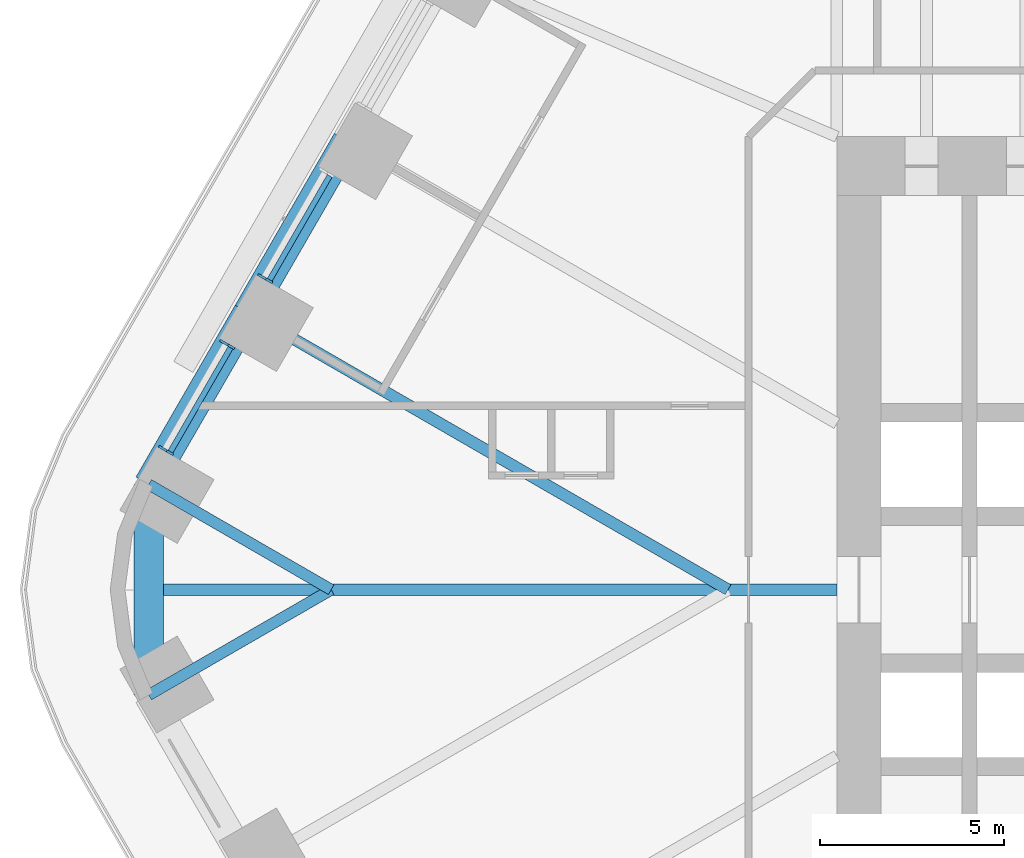
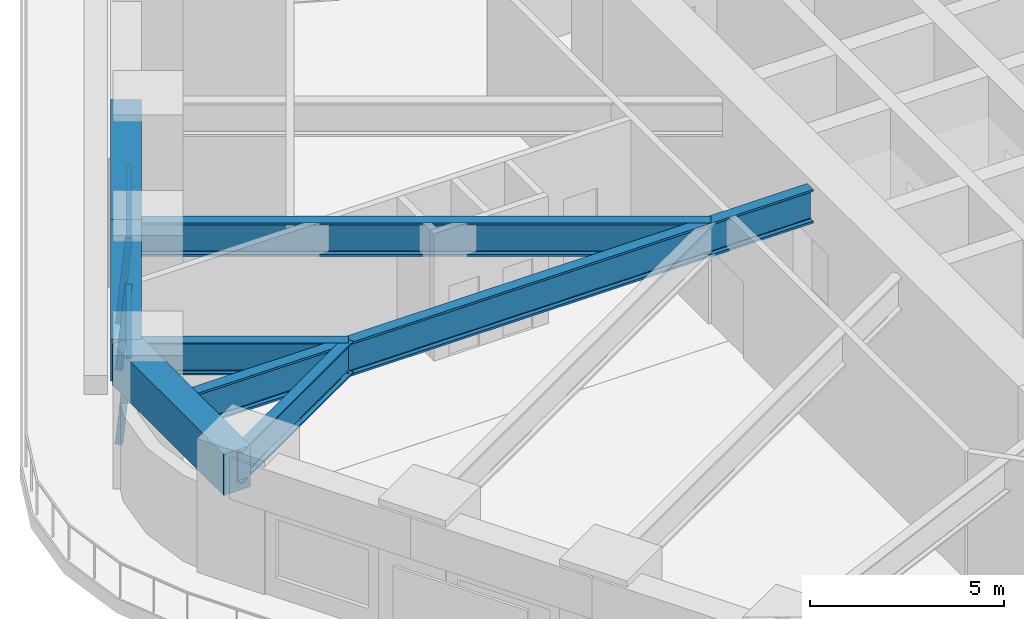
# One storey, part 6 of 23: 7 beams, 5 members, 2 elements without a shape of their own.
"""IFC4 building model written with IfcOpenShell, lengths in metres."""

from ifc_helpers import new_model, si_unit, direction, frame, origin, origin_2d, place, context, subcontext, project, spatial, rectangle, i_section, extrude, material, material_profile, profile_set, type_object, element, aggregate, save


model = new_model("IFC4")

# Units and contexts
model_context = context("Model", 3, precision=1e-05, world=origin(), true_north=direction((0.0, 1.0)))
body_context = subcontext(model_context, "Body", "Model", "MODEL_VIEW")
ifc_project = project(units=[si_unit("LENGTHUNIT", "METRE"), si_unit("AREAUNIT", "SQUARE_METRE"), si_unit("VOLUMEUNIT", "CUBIC_METRE"), si_unit("PLANEANGLEUNIT", "RADIAN"), si_unit("MASSUNIT", "GRAM", prefix="KILO")], contexts=[model_context])

# Site, building, storey
site_placement = place(None, origin())
site = spatial("IfcSite", under=ifc_project, at=site_placement, CompositionType="ELEMENT")
building_placement = place(site_placement, origin())
building = spatial("IfcBuilding", under=site, at=building_placement, Name="Tarfa Lantern Tower", CompositionType="ELEMENT")
storey_placement = place(building_placement, frame((0.0, 0.0, 44.5)))
storey = spatial("IfcBuildingStorey", under=building, at=storey_placement, Name="L09", CompositionType="ELEMENT", Elevation=44.5)

# Curtain wall, member
ifc_material_1 = material(Name="Aluminium framed curtain wall", Category="aluminium")
curtain_wall_type = type_object("IfcCurtainWallType", Name="CW1 CANTED GLAZING LOW ZONE 2700", PredefinedType="USERDEFINED", material=ifc_material_1)
curtain_wall_1_placement = place(storey_placement, origin())
curtain_wall_1 = element("IfcCurtainWall", 1, at=curtain_wall_1_placement, inside=storey, type_object=curtain_wall_type, Name="CW1 NW L09", ObjectType="CURTAIN WALL", PredefinedType="USERDEFINED")
ifc_material_2 = material(Name="Aluminium mullion", Category="aluminium")
ifc_material_profile_1 = material_profile(ifc_material_2, rectangle(XDim=0.06494140625, YDim=0.199951171875, at=origin_2d()), Name="AL MULLION 65x200")
ifc_profile_set_1 = profile_set([ifc_material_profile_1], Name="Aluminium mullion")
member_type_1 = type_object("IfcMemberType", Name="CWM1 MULLION 65x200", PredefinedType="MULLION", material=ifc_profile_set_1)
member_1_placement = place(storey_placement, frame((-34.230712890625, 8.5107421875, 0.0), z_axis=(0.07986442134, -0.046099868913, 0.99573916077), x_axis=(0.499919672301, 0.866071776036, 0.0)))
member_1 = element("IfcMember", 2, at=member_1_placement, type_object=member_type_1, Name="CW1 mullion 2", PredefinedType="MULLION", context=body_context, shape_type="SweptSolid", body=[
    extrude(rectangle(XDim=0.06494140625, YDim=0.199951171875, at=origin_2d()), origin(), (0.0, 0.0, 1.0), 2.71142578125),
])

# Curtain wall, members
curtain_wall_2_placement = place(storey_placement, origin())
curtain_wall_2 = element("IfcCurtainWall", 3, at=curtain_wall_2_placement, inside=storey, type_object=curtain_wall_type, Name="CW1 NW L09", ObjectType="CURTAIN WALL", PredefinedType="USERDEFINED")
member_2_placement = place(storey_placement, frame((-35.26318359375, 6.722412109375, 0.0), z_axis=(0.07986442134, -0.046099868913, 0.99573916077), x_axis=(0.499919672301, 0.866071776036, 0.0)))
member_2 = element("IfcMember", 4, at=member_2_placement, type_object=member_type_1, Name="CW1 mullion 1", PredefinedType="MULLION", context=body_context, shape_type="SweptSolid", body=[
    extrude(rectangle(XDim=0.06494140625, YDim=0.199951171875, at=origin_2d()), origin(), (0.0, 0.0, 1.0), 2.71142578125),
])
member_3_placement = place(storey_placement, frame((-36.9248046875, 3.84423828125, 0.0), z_axis=(0.079774955866, -0.04610020023, 0.995746317068), x_axis=(0.500342721131, 0.865827443207, 0.0)))
member_3 = element("IfcMember", 5, at=member_3_placement, type_object=member_type_1, Name="CW1 mullion 2", PredefinedType="MULLION", context=body_context, shape_type="SweptSolid", body=[
    extrude(rectangle(XDim=0.06494140625, YDim=0.199951171875, at=origin_2d()), origin(), (0.0, 0.0, 1.0), 2.71142578125),
])

# Member
ifc_material_3 = material(Name="Aluminium transom", Category="aluminium")
ifc_material_profile_2 = material_profile(ifc_material_3, rectangle(XDim=0.14990234375, YDim=0.06494140625, at=origin_2d()), Name="AL TRANSOM 150x65")
ifc_profile_set_2 = profile_set([ifc_material_profile_2], Name="Aluminium transom")
member_type_2 = type_object("IfcMemberType", Name="CWT1 TRANSOM 150x65", PredefinedType="USERDEFINED", material=ifc_profile_set_2)
member_4_placement = place(storey_placement, frame((-32.37109375, 11.237548828125, 2.66748046875), z_axis=(-0.500022939057, -0.866012159509, 0.0), x_axis=(0.866012159509, -0.500022939057, 0.0)))
member_4 = element("IfcMember", 6, at=member_4_placement, type_object=member_type_2, Name="CW1 transom 1.2", ObjectType="TRANSOM", PredefinedType="USERDEFINED", context=body_context, shape_type="SweptSolid", body=[
    extrude(rectangle(XDim=0.14990234375, YDim=0.06494140625, at=origin_2d()), origin(), (0.0, 0.0, 1.0), 3.258544921875),
])

aggregate(curtain_wall_1, [member_1, member_4])

member_5_placement = place(storey_placement, frame((-35.0654296875, 6.57080078125, 2.66748046875), z_axis=(-0.500022939057, -0.866012159509, 0.0), x_axis=(0.866012159509, -0.500022939057, 0.0)))
member_5 = element("IfcMember", 7, at=member_5_placement, type_object=member_type_2, Name="CW1 transom 1.2", ObjectType="TRANSOM", PredefinedType="USERDEFINED", context=body_context, shape_type="SweptSolid", body=[
    extrude(rectangle(XDim=0.14990234375, YDim=0.06494140625, at=origin_2d()), origin(), (0.0, 0.0, 1.0), 3.258544921875),
])

aggregate(curtain_wall_2, [member_2, member_3, member_5])

# Beams
ifc_material_4 = material(Name="Concrete C80/95", Category="concrete")
ifc_material_profile_3 = material_profile(ifc_material_4, rectangle(XDim=0.800048828125, YDim=1.300048828125, at=origin_2d()), Name="RC 800x1300")
ifc_profile_set_3 = profile_set([ifc_material_profile_3], Name="Concrete C80/95")
beam_type_1 = type_object("IfcBeamType", Name="EB1 RC 800x1300", PredefinedType="SPANDREL", material=ifc_profile_set_3)
beam_1_placement = place(storey_placement, frame((-31.896728515625, 12.193359375, 3.35009765625), z_axis=(-0.499998287579, -0.866026392449, 0.0), x_axis=(0.866026392449, -0.499998287579, 0.0)))
element("IfcBeam", 8, at=beam_1_placement, inside=storey, type_object=beam_type_1, Name="Edge beam NW4", PredefinedType="SPANDREL", context=body_context, shape_type="SweptSolid", body=[
    extrude(rectangle(XDim=0.800048828125, YDim=1.300048828125, at=origin_2d()), origin(), (0.0, 0.0, 1.0), 5.388671875),
])
beam_2_placement = place(storey_placement, frame((-34.591064453125, 7.526611328125, 3.35009765625), z_axis=(-0.500017906299, -0.866015065331, 0.0), x_axis=(0.866015065331, -0.500017906299, 0.0)))
element("IfcBeam", 9, at=beam_2_placement, inside=storey, type_object=beam_type_1, Name="Edge beam NW5", PredefinedType="SPANDREL", context=body_context, shape_type="SweptSolid", body=[
    extrude(rectangle(XDim=0.800048828125, YDim=1.300048828125, at=origin_2d()), origin(), (0.0, 0.0, 1.0), 5.388427734375),
])
beam_3_placement = place(storey_placement, frame((-37.285400390625, 2.860107421875, 3.35009765625), z_axis=(0.0, -1.0, 0.0), x_axis=(1.0, 0.0, 0.0)))
element("IfcBeam", 10, at=beam_3_placement, inside=storey, type_object=beam_type_1, Name="Edge beam NW6", PredefinedType="SPANDREL", context=body_context, shape_type="SweptSolid", body=[
    extrude(rectangle(XDim=0.800048828125, YDim=1.300048828125, at=origin_2d()), origin(), (0.0, 0.0, 1.0), 5.72021484375),
])
ifc_material_5 = material(Name="Steel S460M", Category="steel")
ifc_material_profile_4 = material_profile(ifc_material_5, i_section(OverallWidth=0.302001953125, OverallDepth=1.008056640625, WebThickness=0.02099609375, FlangeThickness=0.0400390625, FilletRadius=0.030029296875, at=origin_2d()), Name="UB1016x305x349")
ifc_profile_set_4 = profile_set([ifc_material_profile_4], Name="Steel S460M")
beam_type_2 = type_object("IfcBeamType", Name="UB1016x305x349", PredefinedType="BEAM", material=ifc_profile_set_4)
for number, where, z_axis, x_axis, name in (
    (11, (-37.285400390625, 2.860107421875, 3.495849609375), (0.866025668288, -0.499999541866, 0.0), (0.499999541866, 0.866025668288, 0.0), "Floor beam NW6"),
    (12, (-37.285400390625, -2.860107421875, 3.495849609375), (0.866025668288, 0.499999541866, 0.0), (-0.499999541866, 0.866025668288, 0.0), "Floor beam SW0"),
):
    element("IfcBeam", number, at=place(storey_placement, frame(where, z_axis=z_axis, x_axis=x_axis)), inside=storey, type_object=beam_type_2, Name=name, PredefinedType="BEAM", context=body_context, shape_type="SweptSolid", body=[
        extrude(i_section(OverallWidth=0.302001953125, OverallDepth=1.008056640625, WebThickness=0.02099609375, FlangeThickness=0.0400390625, FilletRadius=0.030029296875, at=origin_2d()), origin(), (0.0, 0.0, 1.0), 5.72021484375),
    ])
ifc_material_profile_5 = material_profile(ifc_material_5, i_section(OverallWidth=0.314208984375, OverallDepth=1.055908203125, WebThickness=0.035888671875, FlangeThickness=0.06396484375, FilletRadius=0.030029296875, at=origin_2d()), Name="UB1016x305x584")
ifc_profile_set_5 = profile_set([ifc_material_profile_5], Name="Steel S460M")
beam_type_3 = type_object("IfcBeamType", Name="UB1016x305x584", PredefinedType="BEAM", material=ifc_profile_set_5)
beam_4_placement = place(storey_placement, frame((-18.60009765625, 0.0, 3.471923828125), z_axis=(-1.0, 0.0, 0.0), x_axis=(0.0, -1.0, 0.0)))
element("IfcBeam", 13, at=beam_4_placement, inside=storey, type_object=beam_type_3, Name="Hip girder W", PredefinedType="BEAM", context=body_context, shape_type="SweptSolid", body=[
    extrude(i_section(OverallWidth=0.314208984375, OverallDepth=1.055908203125, WebThickness=0.035888671875, FlangeThickness=0.06396484375, FilletRadius=0.030029296875, at=origin_2d()), origin(), (0.0, 0.0, 1.0), 18.685302734375),
])
beam_5_placement = place(storey_placement, frame((-34.591064453125, 7.526611328125, 3.471923828125), z_axis=(0.86602785945, -0.499995746638, 0.0), x_axis=(0.499995746638, 0.86602785945, 0.0)))
element("IfcBeam", 14, at=beam_5_placement, inside=storey, type_object=beam_type_3, Name="Floor beam NW5", PredefinedType="BEAM", context=body_context, shape_type="SweptSolid", body=[
    extrude(i_section(OverallWidth=0.314208984375, OverallDepth=1.055908203125, WebThickness=0.035888671875, FlangeThickness=0.06396484375, FilletRadius=0.030029296875, at=origin_2d()), origin(), (0.0, 0.0, 1.0), 15.053466796875),
])

save(model, "model.ifc")
